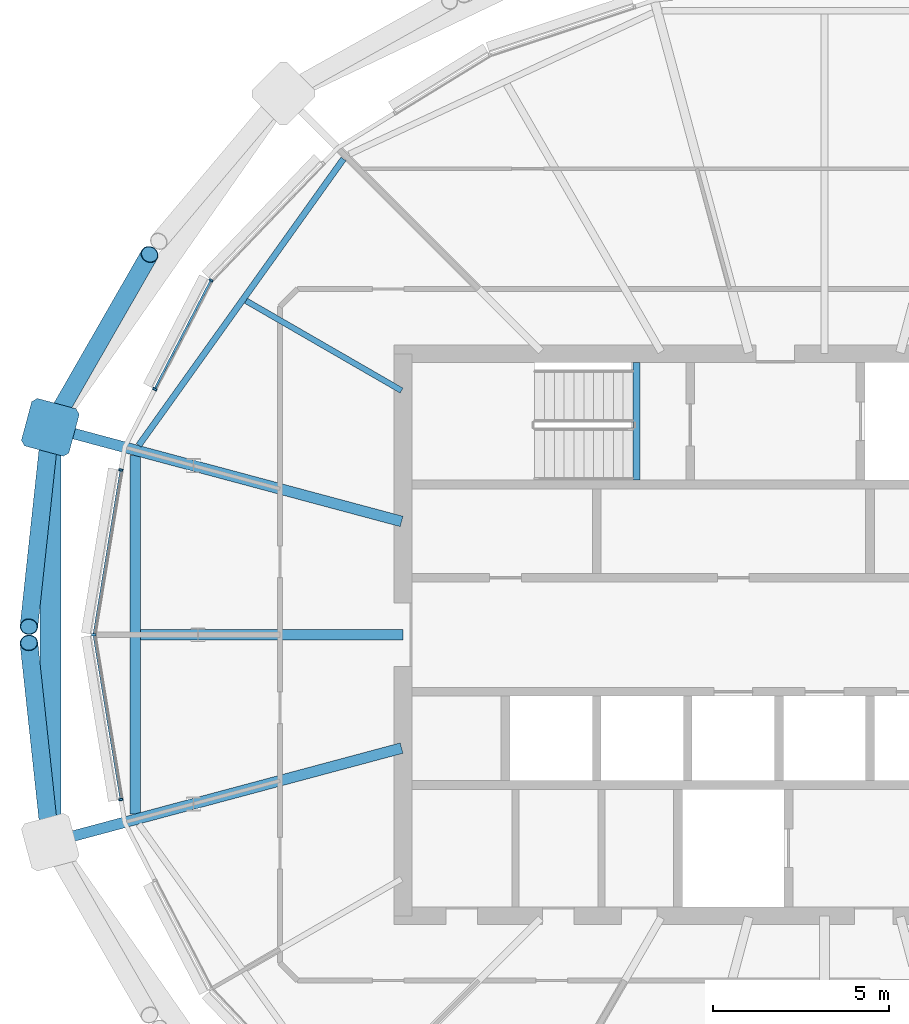
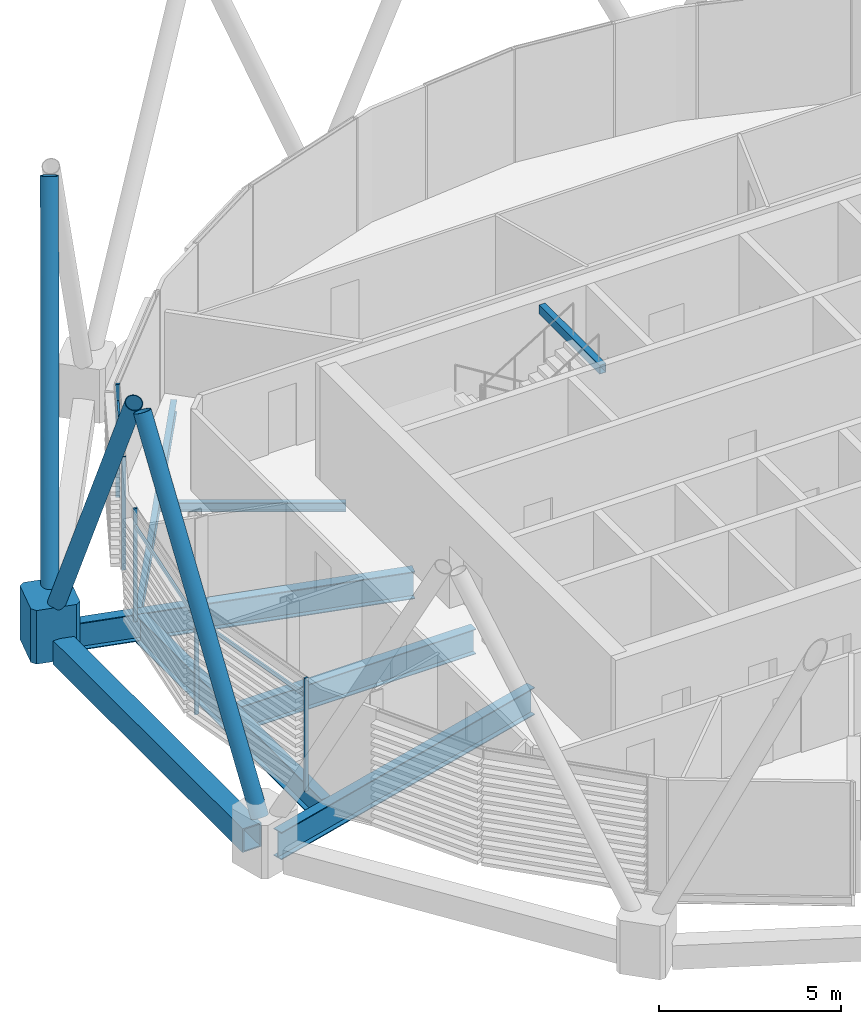
# One storey, part 5 of 34: 12 members, 8 beams, 1 element without a shape of its own.
"""IFC4 building model written with IfcOpenShell, lengths in metres."""

from ifc_helpers import new_model, si_unit, direction, frame, origin, origin_2d, place, context, subcontext, project, spatial, polyline, rectangle, hollow_rectangle, hollow_circle, i_section, outline, extrude, material, material_profile, profile_set, type_object, element, aggregate, save


model = new_model("IFC4")

# Units and contexts
model_context = context("Model", 3, precision=1e-05, world=origin(), true_north=direction((0.0, 1.0)))
body_context = subcontext(model_context, "Body", "Model", "MODEL_VIEW")
ifc_project = project(units=[si_unit("LENGTHUNIT", "METRE"), si_unit("AREAUNIT", "SQUARE_METRE"), si_unit("VOLUMEUNIT", "CUBIC_METRE"), si_unit("PLANEANGLEUNIT", "RADIAN"), si_unit("MASSUNIT", "GRAM", prefix="KILO")], contexts=[model_context])

# Site, building, storey
site_placement = place(None, origin())
site = spatial("IfcSite", under=ifc_project, at=site_placement, CompositionType="ELEMENT")
building_placement = place(site_placement, origin())
building = spatial("IfcBuilding", under=site, at=building_placement, Name="Rimbun Link Towers", CompositionType="ELEMENT")
storey_placement = place(building_placement, frame((0.0, 0.0, 221.89990234375)))
storey = spatial("IfcBuildingStorey", under=building, at=storey_placement, Name="L54", CompositionType="ELEMENT", Elevation=221.89990234375)

# Curtain wall, members
ifc_material_1 = material(Name="Aluminium 6063-T6 and low-iron glass", Category="aluminium")
curtain_wall_type = type_object("IfcCurtainWallType", Name="CW1-Z4 unitised vision wall (zone 4)", PredefinedType="NOTDEFINED", material=ifc_material_1)
curtain_wall_placement = place(storey_placement, origin())
curtain_wall = element("IfcCurtainWall", 1, at=curtain_wall_placement, inside=storey, type_object=curtain_wall_type, Name="CW1 L54 T1", PredefinedType="NOTDEFINED")
ifc_material_2 = material(Name="Aluminium 6063-T6", Category="aluminium")
ifc_material_profile_1 = material_profile(ifc_material_2, rectangle(XDim=0.1201171875, YDim=0.06005859375, at=origin_2d()), Name="MULLION 60X120")
ifc_profile_set_1 = profile_set([ifc_material_profile_1], Name="Aluminium 6063-T6")
member_type_1 = type_object("IfcMemberType", Name="CW1 mullion 60X120", PredefinedType="MULLION", material=ifc_profile_set_1)
member_1_placement = place(storey_placement, frame((-49.217041015625, 10.09130859375, 0.0), z_axis=(0.0, 0.0, 1.0), x_axis=(-0.813353544339, 0.581769724128, 0.0)))
member_1 = element("IfcMember", 2, at=member_1_placement, type_object=member_type_1, Name="CW1 mullion", PredefinedType="MULLION", context=body_context, shape_type="SweptSolid", body=[
    extrude(rectangle(XDim=0.1201171875, YDim=0.06005859375, at=origin_2d()), origin(), (0.0, 0.0, 1.0), 3.800048828125),
])
member_2_placement = place(storey_placement, frame((-50.8203125, 6.994140625, 0.0), z_axis=(0.0, 0.0, 1.0), x_axis=(-0.888152943593, 0.459547983117, 0.0)))
member_2 = element("IfcMember", 3, at=member_2_placement, type_object=member_type_1, Name="CW1 mullion", PredefinedType="MULLION", context=body_context, shape_type="SweptSolid", body=[
    extrude(rectangle(XDim=0.1201171875, YDim=0.06005859375, at=origin_2d()), origin(), (0.0, 0.0, 1.0), 3.800048828125),
])
member_3_placement = place(storey_placement, frame((-52.552734375, 0.0, 0.0), z_axis=(0.0, 0.0, 1.0), x_axis=(-1.0, 0.0, 0.0)))
member_3 = element("IfcMember", 4, at=member_3_placement, type_object=member_type_1, Name="CW1 mullion", PredefinedType="MULLION", context=body_context, shape_type="SweptSolid", body=[
    extrude(rectangle(XDim=0.1201171875, YDim=0.06005859375, at=origin_2d()), origin(), (0.0, 0.0, 1.0), 3.800048828125),
])
member_4_placement = place(storey_placement, frame((-51.781982421875, 4.691650390625, 0.0), z_axis=(0.0, 0.0, 1.0), x_axis=(-0.986747306612, 0.162264453577, 0.0)))
member_4 = element("IfcMember", 5, at=member_4_placement, type_object=member_type_1, Name="CW1 mullion", PredefinedType="MULLION", context=body_context, shape_type="SweptSolid", body=[
    extrude(rectangle(XDim=0.1201171875, YDim=0.06005859375, at=origin_2d()), origin(), (0.0, 0.0, 1.0), 3.800048828125),
])
member_5_placement = place(storey_placement, frame((-51.781982421875, -4.691650390625, 0.0), z_axis=(0.0, 0.0, 1.0), x_axis=(-0.986747306612, -0.162264453577, 0.0)))
member_5 = element("IfcMember", 6, at=member_5_placement, type_object=member_type_1, Name="CW1 mullion", PredefinedType="MULLION", context=body_context, shape_type="SweptSolid", body=[
    extrude(rectangle(XDim=0.1201171875, YDim=0.06005859375, at=origin_2d()), origin(), (0.0, 0.0, 1.0), 3.800048828125),
])
ifc_material_3 = material(Name="Aluminium 6063-T6", Category="aluminium")
ifc_material_profile_2 = material_profile(ifc_material_3, rectangle(XDim=0.06005859375, YDim=0.1201171875, at=origin_2d()), Name="TRANSOM 60X120")
ifc_profile_set_2 = profile_set([ifc_material_profile_2], Name="Aluminium 6063-T6")
member_type_2 = type_object("IfcMemberType", Name="CW1 transom 60X120", PredefinedType="USERDEFINED", material=ifc_profile_set_2)
member_6_placement = place(storey_placement, frame((-50.804931640625, 7.019775390625, 3.2001953125), z_axis=(0.459566661911, 0.888143278565, 0.0), x_axis=(-0.888143278565, 0.459566661911, 0.0)))
member_6 = element("IfcMember", 7, at=member_6_placement, type_object=member_type_2, Name="CW1 transom", ObjectType="TRANSOM", PredefinedType="USERDEFINED", context=body_context, shape_type="SweptSolid", body=[
    extrude(rectangle(XDim=0.06005859375, YDim=0.1201171875, at=origin_2d()), origin(), (0.0, 0.0, 1.0), 3.4189453125),
])
member_7_placement = place(storey_placement, frame((-52.545166015625, 0.0390625, 3.2001953125), z_axis=(0.162277498418, 0.98674516138, 0.0), x_axis=(-0.98674516138, 0.162277498418, 0.0)))
member_7 = element("IfcMember", 8, at=member_7_placement, type_object=member_type_2, Name="CW1 transom", ObjectType="TRANSOM", PredefinedType="USERDEFINED", context=body_context, shape_type="SweptSolid", body=[
    extrude(rectangle(XDim=0.06005859375, YDim=0.1201171875, at=origin_2d()), origin(), (0.0, 0.0, 1.0), 4.684814453125),
])
member_8_placement = place(storey_placement, frame((-51.784912109375, -4.661865234375, 3.2001953125), z_axis=(-0.162277498418, 0.98674516138, 0.0), x_axis=(-0.98674516138, -0.162277498418, 0.0)))
member_8 = element("IfcMember", 9, at=member_8_placement, type_object=member_type_2, Name="CW1 transom", ObjectType="TRANSOM", PredefinedType="USERDEFINED", context=body_context, shape_type="SweptSolid", body=[
    extrude(rectangle(XDim=0.06005859375, YDim=0.1201171875, at=origin_2d()), origin(), (0.0, 0.0, 1.0), 4.684814453125),
])
aggregate(curtain_wall, [member_1, member_2, member_3, member_4, member_5, member_6, member_7, member_8])

# Members
ifc_material_4 = material(Name="Steel S355J2H", Category="steel")
ifc_material_profile_3 = material_profile(ifc_material_4, hollow_circle(Radius=0.25390625, WallThickness=0.02001953125, at=origin_2d()), Name="Diagrid diagonal CHS 508x20")
ifc_profile_set_3 = profile_set([ifc_material_profile_3], Name="Steel S355J2H")
member_type_3 = type_object("IfcMemberType", Name="Diagrid diagonal CHS 508x20", PredefinedType="BRACE", material=ifc_profile_set_3)
member_9_placement = place(storey_placement, frame((-53.67626953125, 6.105224609375, 0.444091796875), z_axis=(0.229027300633, 0.398931490252, 0.887919006244), x_axis=(-0.867242701375, 0.497885626336, 0.0)))
element("IfcMember", 10, at=member_9_placement, inside=storey, type_object=member_type_3, Name="Diagrid diagonal T1 L54-L57 11a", PredefinedType="BRACE", context=body_context, shape_type="SweptSolid", body=[
    extrude(hollow_circle(Radius=0.25390625, WallThickness=0.02001953125, at=origin_2d()), origin(), (0.0, 0.0, 1.0), 11.8388671875),
])
for number, where, z_axis, x_axis, name in (
    (11, (-53.8154296875, 5.676025390625, 0.443603515625), (-0.049344684371, -0.459424548809, 0.88684507445), (0.994281467527, -0.106791213744, 0.0), "Diagrid diagonal T1 L54-L57 11b"),
    (12, (-53.8154296875, -5.676025390625, 0.443603515625), (-0.049344684371, 0.459424548809, 0.88684507445), (-0.994281467527, -0.106791213744, 0.0), "Diagrid diagonal T1 L54-L57 13a"),
):
    element("IfcMember", number, at=place(storey_placement, frame(where, z_axis=z_axis, x_axis=x_axis)), inside=storey, type_object=member_type_3, Name=name, PredefinedType="BRACE", context=body_context, shape_type="SweptSolid", body=[
        extrude(hollow_circle(Radius=0.25390625, WallThickness=0.02001953125, at=origin_2d()), origin(), (0.0, 0.0, 1.0), 11.8544921875),
    ])
ifc_material_5 = material(Name="Cast steel G20Mn5+QT, Rp0.2 300 MPa", Category="steel")
ifc_material_profile_4 = material_profile(ifc_material_5, outline(polyline([(0.699951171875, -0.570068359375), (0.699951171875, 0.570068359375), (0.570068359375, 0.699951171875), (-0.570068359375, 0.699951171875), (-0.699951171875, 0.570068359375), (-0.699951171875, -0.570068359375), (-0.570068359375, -0.699951171875), (0.570068359375, -0.699951171875), (0.699951171875, -0.570068359375)])), Name="NODE 1400x1400")
ifc_profile_set_4 = profile_set([ifc_material_profile_4], Name="Cast steel G20Mn5+QT, Rp0.2 300 MPa")
member_type_4 = type_object("IfcMemberType", Name="Diagrid node cast 1400", PredefinedType="USERDEFINED", material=ifc_profile_set_4)
member_10_placement = place(storey_placement, frame((-53.790771484375, 5.90576171875, -0.89990234375), z_axis=(0.0, 0.0, 1.0), x_axis=(-0.965925826289, 0.258819045103, 0.0)))
element("IfcMember", 13, at=member_10_placement, inside=storey, type_object=member_type_4, Name="Diagrid node L54 11", ObjectType="Diagrid node", PredefinedType="USERDEFINED", context=body_context, shape_type="SweptSolid", body=[
    extrude(outline(polyline([(0.699951171875, -0.570068359375), (0.699951171875, 0.570068359375), (0.570068359375, 0.699951171875), (-0.570068359375, 0.699951171875), (-0.699951171875, 0.570068359375), (-0.699951171875, -0.570068359375), (-0.570068359375, -0.699951171875), (0.570068359375, -0.699951171875), (0.699951171875, -0.570068359375)])), origin(), (0.0, 0.0, 1.0), 1.800048828125),
])

# Beams
ifc_material_6 = material(Name="Steel S355J2", Category="steel")
ifc_material_profile_5 = material_profile(ifc_material_6, hollow_rectangle(XDim=0.60009765625, YDim=0.800048828125, WallThickness=0.0400390625, at=origin_2d()), Name="Exoskeleton ring girder BOX 600x800x40")
ifc_profile_set_5 = profile_set([ifc_material_profile_5], Name="Steel S355J2")
beam_type_1 = type_object("IfcBeamType", Name="Exoskeleton ring girder BOX 600x800x40", PredefinedType="BEAM", material=ifc_profile_set_5)
beam_1_placement = place(storey_placement, frame((-53.790771484375, 5.205810546875, -0.559814453125), z_axis=(0.0, -1.0, 0.0), x_axis=(1.0, 0.0, 0.0)))
element("IfcBeam", 14, at=beam_1_placement, inside=storey, type_object=beam_type_1, Name="Exoskeleton ring girder L54 05", PredefinedType="BEAM", context=body_context, shape_type="SweptSolid", body=[
    extrude(hollow_rectangle(XDim=0.60009765625, YDim=0.800048828125, WallThickness=0.0400390625, at=origin_2d()), origin(), (0.0, 0.0, 1.0), 10.41162109375),
])
ifc_material_7 = material(Name="Steel S355J2", Category="steel")
ifc_material_profile_6 = material_profile(ifc_material_7, hollow_rectangle(XDim=0.199951171875, YDim=0.300048828125, WallThickness=0.011962890625, at=origin_2d()), Name="BOX 300x200x12")
ifc_profile_set_6 = profile_set([ifc_material_profile_6], Name="Steel S355J2")
beam_type_2 = type_object("IfcBeamType", Name="Stair trimmer beam BOX 300x200x12", PredefinedType="BEAM", material=ifc_profile_set_6)
beam_2_placement = place(storey_placement, frame((-37.10009765625, 7.75, 3.510009765625), z_axis=(0.0, -1.0, 0.0), x_axis=(1.0, 0.0, 0.0)))
element("IfcBeam", 15, at=beam_2_placement, inside=storey, type_object=beam_type_2, Name="L54 ST1 stair beam 1", PredefinedType="BEAM", context=body_context, shape_type="SweptSolid", body=[
    extrude(hollow_rectangle(XDim=0.199951171875, YDim=0.300048828125, WallThickness=0.011962890625, at=origin_2d()), origin(), (0.0, 0.0, 1.0), 3.35009765625),
])
ifc_material_8 = material(Name="Steel S355J2", Category="steel")
ifc_material_profile_7 = material_profile(ifc_material_8, i_section(OverallWidth=0.1650390625, OverallDepth=0.303466796875, WebThickness=0.006103515625, FlangeThickness=0.01025390625, at=origin_2d()), Name="UB 305x165x40")
ifc_profile_set_7 = profile_set([ifc_material_profile_7], Name="Steel S355J2")
beam_type_3 = type_object("IfcBeamType", Name="UB 305x165x40", PredefinedType="BEAM", material=ifc_profile_set_7)
beam_3_placement = place(storey_placement, frame((-43.7919921875, 6.952392578125, -0.29150390625), z_axis=(-0.866016235635, 0.500015879365, 0.0), x_axis=(-0.500015879365, -0.866016235635, 0.0)))
element("IfcBeam", 16, at=beam_3_placement, inside=storey, type_object=beam_type_3, Name="Radial beam T1 L54 10", PredefinedType="BEAM", context=body_context, shape_type="SweptSolid", body=[
    extrude(i_section(OverallWidth=0.1650390625, OverallDepth=0.303466796875, WebThickness=0.006103515625, FlangeThickness=0.01025390625, at=origin_2d()), origin(), (0.0, 0.0, 1.0), 5.113525390625),
])
ifc_material_9 = material(Name="Steel S355J2", Category="steel")
ifc_material_profile_8 = material_profile(ifc_material_9, i_section(OverallWidth=0.177978515625, OverallDepth=0.406494140625, WebThickness=0.0078125, FlangeThickness=0.0126953125, at=origin_2d()), Name="UB 406x178x60")
ifc_profile_set_8 = profile_set([ifc_material_profile_8], Name="Steel S355J2")
beam_type_4 = type_object("IfcBeamType", Name="UB 406x178x60", PredefinedType="BEAM", material=ifc_profile_set_8)
beam_4_placement = place(storey_placement, frame((-45.445556640625, 13.546142578125, -0.343017578125), z_axis=(-0.581484672655, -0.813557358437, 0.0), x_axis=(0.813557358437, -0.581484672655, 0.0)))
element("IfcBeam", 17, at=beam_4_placement, inside=storey, type_object=beam_type_4, Name="Edge beam T1 L54 09-11", PredefinedType="BEAM", context=body_context, shape_type="SweptSolid", body=[
    extrude(i_section(OverallWidth=0.177978515625, OverallDepth=0.406494140625, WebThickness=0.0078125, FlangeThickness=0.0126953125, at=origin_2d()), origin(), (0.0, 0.0, 1.0), 10.0244140625),
])
ifc_material_10 = material(Name="Steel S355J2", Category="steel")
ifc_material_profile_9 = material_profile(ifc_material_10, i_section(OverallWidth=0.29248046875, OverallDepth=0.8408203125, WebThickness=0.0126953125, FlangeThickness=0.021728515625, at=origin_2d()), Name="UB 838x292x194")
ifc_profile_set_9 = profile_set([ifc_material_profile_9], Name="Steel S355J2")
beam_type_5 = type_object("IfcBeamType", Name="UB 838x292x194", PredefinedType="BEAM", material=ifc_profile_set_9)
beam_5_placement = place(storey_placement, frame((-43.7509765625, 0.0, -0.560302734375), z_axis=(-1.0, 0.0, 0.0), x_axis=(0.0, -1.0, 0.0)))
element("IfcBeam", 18, at=beam_5_placement, inside=storey, type_object=beam_type_5, Name="Radial beam T1 L54 12", PredefinedType="BEAM", context=body_context, shape_type="SweptSolid", body=[
    extrude(i_section(OverallWidth=0.29248046875, OverallDepth=0.8408203125, WebThickness=0.0126953125, FlangeThickness=0.021728515625, at=origin_2d()), origin(), (0.0, 0.0, 1.0), 7.46533203125),
])
ifc_material_11 = material(Name="Steel S355J2", Category="steel")
ifc_material_profile_10 = material_profile(ifc_material_11, i_section(OverallWidth=0.305419921875, OverallDepth=0.91845703125, WebThickness=0.017333984375, FlangeThickness=0.02783203125, at=origin_2d()), Name="UB 914x305x253")
ifc_profile_set_10 = profile_set([ifc_material_profile_10], Name="Steel S355J2")
beam_type_6 = type_object("IfcBeamType", Name="UB 914x305x253", PredefinedType="BEAM", material=ifc_profile_set_10)
for number, where, z_axis, x_axis, name in (
    (19, (-43.79052734375, 3.226318359375, -0.59912109375), (-0.965927036843, 0.258814527213, 0.0), (-0.258814527213, -0.965927036843, 0.0), "Radial beam T1 L54 11"),
    (20, (-43.79052734375, -3.226318359375, -0.59912109375), (-0.965927036843, -0.258814527213, 0.0), (0.258814527213, -0.965927036843, 0.0), "Radial beam T1 L54 13"),
):
    element("IfcBeam", number, at=place(storey_placement, frame(where, z_axis=z_axis, x_axis=x_axis)), inside=storey, type_object=beam_type_6, Name=name, PredefinedType="BEAM", context=body_context, shape_type="SweptSolid", body=[
        extrude(i_section(OverallWidth=0.305419921875, OverallDepth=0.91845703125, WebThickness=0.017333984375, FlangeThickness=0.02783203125, at=origin_2d()), origin(), (0.0, 0.0, 1.0), 9.852783203125),
    ])
beam_6_placement = place(storey_placement, frame((-51.3701171875, 5.097900390625, -0.59912109375), z_axis=(0.0, -1.0, 0.0), x_axis=(1.0, 0.0, 0.0)))
element("IfcBeam", 21, at=beam_6_placement, inside=storey, type_object=beam_type_6, Name="Edge beam T1 L54 11-13", PredefinedType="BEAM", context=body_context, shape_type="SweptSolid", body=[
    extrude(i_section(OverallWidth=0.305419921875, OverallDepth=0.91845703125, WebThickness=0.017333984375, FlangeThickness=0.02783203125, at=origin_2d()), origin(), (0.0, 0.0, 1.0), 10.19580078125),
])

save(model, "model.ifc")
